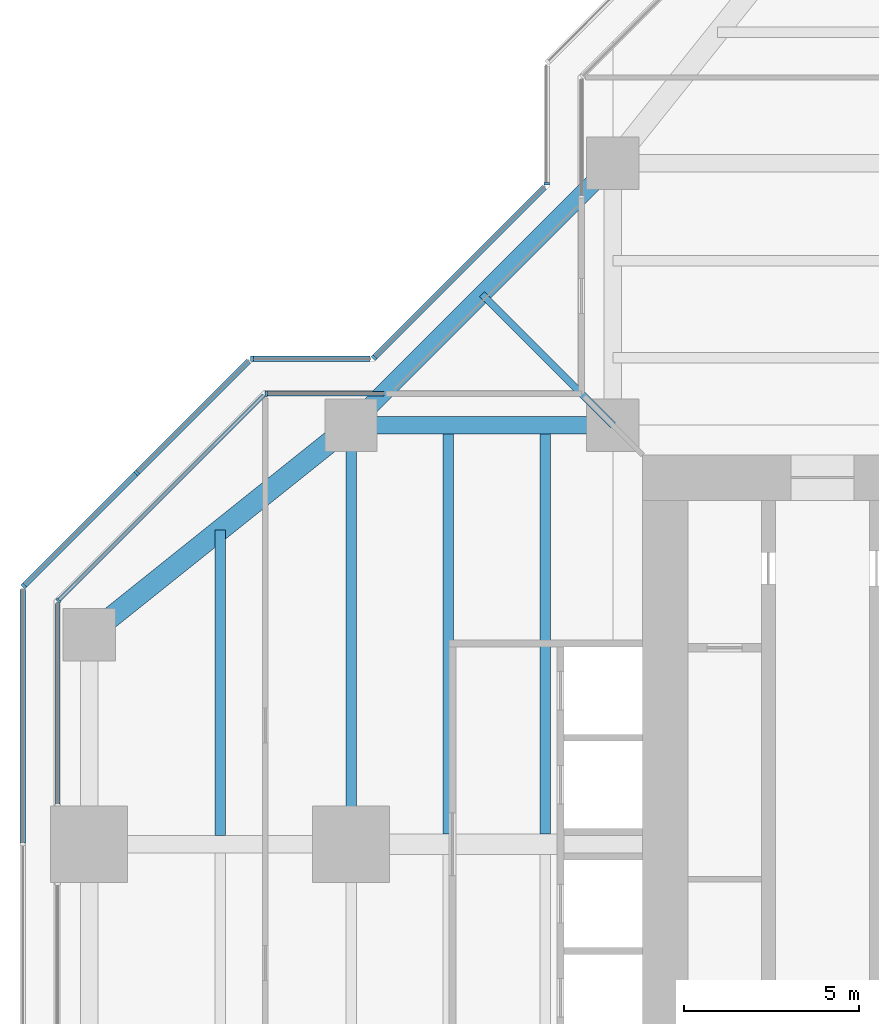
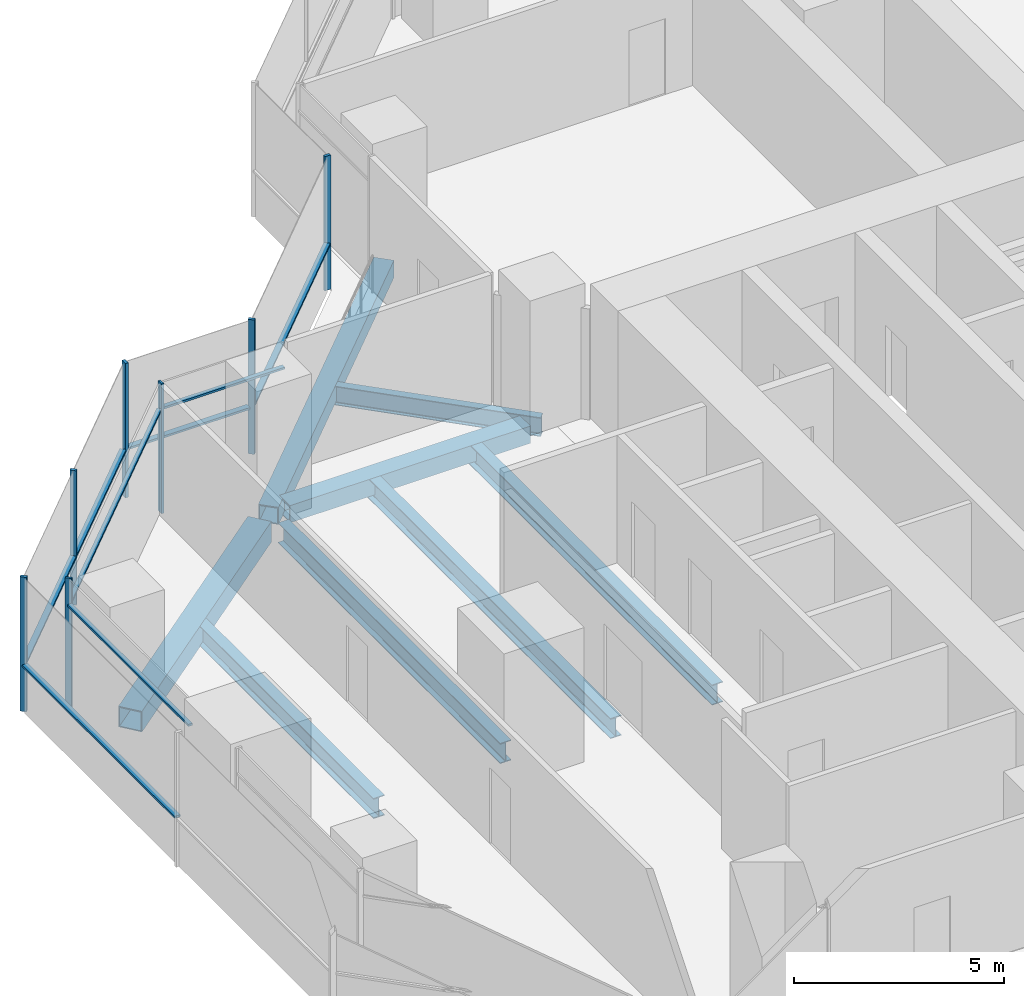
# One storey, part 6 of 17: 15 members, 8 beams, 8 elements without a shape of their own.
"""IFC4 building model written with IfcOpenShell, lengths in metres."""

import ifcopenshell
import ifcopenshell.guid

model = None  # the IFC model being written
_history = None  # IfcOwnerHistory: only IFC2X3 demands one
_inside = {}  # id of a spatial element -> (the spatial element, [elements in it])
_under = {}  # id of a project, library or spatial element -> (it, [spatial elements below it])
_declared = {}  # id of a project -> (the project, [libraries it declares])
_typed = {}  # id of a type object -> (the type object, [elements of that type])
_made_of = {}  # id of a material, layer set ... -> (it, [elements and type objects made of it])


def new_model(schema):
    """Start an empty IFC model of exactly this schema.

    Asked for "IFC4X3", IfcOpenShell would pick the latest addendum, in which some entities
    have other attributes; the version numbers below select the first issue.
    IFC2X3 requires an IfcOwnerHistory on every rooted entity: one is made here for all.
    """
    global model, _history
    if schema == "IFC4X3":
        model = ifcopenshell.file(schema_version=(4, 3, 0, 0))
    else:
        model = ifcopenshell.file(schema=schema)
    _inside.clear()
    _under.clear()
    _declared.clear()
    _typed.clear()
    _made_of.clear()
    _history = None
    if model.schema == "IFC2X3":
        org = make("IfcOrganization", Name="unknown")
        user = make(
            "IfcPersonAndOrganization",
            ThePerson=make("IfcPerson", FamilyName="unknown"),
            TheOrganization=org,
        )
        app = make(
            "IfcApplication",
            ApplicationDeveloper=org,
            Version="unknown",
            ApplicationFullName="unknown",
            ApplicationIdentifier="unknown",
        )
        _history = make(
            "IfcOwnerHistory",
            OwningUser=user,
            OwningApplication=app,
            ChangeAction="ADDED",
            CreationDate=0,
        )
    return model


def make(cls, **values):
    """One entity of the class cls with the attributes given. An attribute that is None is left unset."""
    return model.create_entity(
        cls, **{name: value for name, value in values.items() if value is not None}
    )


def rooted(cls, **values):
    """An entity with a GlobalId (a new one), such as an element, a storey or a relation."""
    return make(cls, GlobalId=ifcopenshell.guid.new(), OwnerHistory=_history, **values)


def si_unit(unit_type, name, prefix=None):
    """IfcSIUnit, for example si_unit("LENGTHUNIT", "METRE", prefix="MILLI")."""
    return make("IfcSIUnit", UnitType=unit_type, Prefix=prefix, Name=name)


def assignment(units):
    """IfcUnitAssignment: the units of a project."""
    return None if units is None else make("IfcUnitAssignment", Units=units)


def point(xyz):
    """IfcCartesianPoint."""
    return None if xyz is None else make("IfcCartesianPoint", Coordinates=xyz)


def direction(xyz):
    """IfcDirection."""
    return None if xyz is None else make("IfcDirection", DirectionRatios=xyz)


def frame(location, z_axis=None, x_axis=None):
    """IfcAxis2Placement3D, a coordinate frame: its origin and axes. An axis left out is left unset."""
    return make(
        "IfcAxis2Placement3D",
        Location=point(location),
        Axis=direction(z_axis),
        RefDirection=direction(x_axis),
    )


def frame_2d(location, x_axis=None):
    """IfcAxis2Placement2D, a coordinate frame in the plane: its origin and x axis."""
    return make(
        "IfcAxis2Placement2D", Location=point(location), RefDirection=direction(x_axis)
    )


def origin():
    """The frame at (0, 0, 0) with its axes left unset."""
    return frame((0.0, 0.0, 0.0))


def origin_2d():
    """The frame at (0, 0) in the plane with its x axis left unset."""
    return frame_2d((0.0, 0.0))


def place(relative_to, where):
    """IfcLocalPlacement: puts the frame where relative to a parent placement (None: the world)."""
    return make(
        "IfcLocalPlacement", PlacementRelTo=relative_to, RelativePlacement=where
    )


def context(
    kind, dimensions, precision=None, world=None, true_north=None, identifier=None
):
    """IfcGeometricRepresentationContext, for example the 3D "Model" context."""
    return make(
        "IfcGeometricRepresentationContext",
        ContextIdentifier=identifier,
        ContextType=kind,
        CoordinateSpaceDimension=dimensions,
        Precision=precision,
        WorldCoordinateSystem=world,
        TrueNorth=true_north,
    )


def subcontext(parent, identifier, kind, view, scale=None):
    """IfcGeometricRepresentationSubContext, for example "Body" below "Model"."""
    return make(
        "IfcGeometricRepresentationSubContext",
        ContextIdentifier=identifier,
        ContextType=kind,
        ParentContext=parent,
        TargetScale=scale,
        TargetView=view,
    )


def project(units=None, contexts=None):
    """IfcProject with its units and contexts."""
    return rooted(
        "IfcProject",
        Name="project",
        RepresentationContexts=contexts,
        UnitsInContext=assignment(units),
    )


def spatial(cls, under=None, at=None, **own):
    """A site, building, storey or space (cls), placed at a placement, below another one or the project."""
    s = rooted(cls, ObjectPlacement=at, **own)
    if under is not None:
        _under.setdefault(under.id(), (under, []))[1].append(s)
    return s


def profile(cls, at=None, kind="AREA", **sizes):
    """A parametric profile (cls). Its sizes go by their IFC names, for example OverallWidth=200.0."""
    return make(cls, ProfileType=kind, Position=at, **sizes)


def rectangle(**sizes):
    """IfcRectangleProfileDef."""
    return profile("IfcRectangleProfileDef", **sizes)


def hollow_rectangle(**sizes):
    """IfcRectangleHollowProfileDef."""
    return profile("IfcRectangleHollowProfileDef", **sizes)


def i_section(**sizes):
    """IfcIShapeProfileDef."""
    return profile("IfcIShapeProfileDef", **sizes)


def extrude(swept, where, along, depth):
    """IfcExtrudedAreaSolid: the profile swept, set in the frame where, extruded along a direction by depth."""
    return make(
        "IfcExtrudedAreaSolid",
        SweptArea=swept,
        Position=where,
        ExtrudedDirection=direction(along),
        Depth=depth,
    )


def shape(context_of_items, identifier, shape_type, items):
    """IfcShapeRepresentation: the items that make up one representation, for example the "Body"."""
    return make(
        "IfcShapeRepresentation",
        ContextOfItems=context_of_items,
        RepresentationIdentifier=identifier,
        RepresentationType=shape_type,
        Items=items,
    )


def material(Name=None, Category=None):
    """IfcMaterial."""
    return make("IfcMaterial", Name=Name, Category=Category)


def material_profile(
    of_material, cross_section, Name=None, Category=None, Priority=None
):
    """IfcMaterialProfile: a cross section and its material."""
    return make(
        "IfcMaterialProfile",
        Name=Name,
        Material=of_material,
        Profile=cross_section,
        Priority=Priority,
        Category=Category,
    )


def profile_set(profiles, Name=None, composite=None):
    """IfcMaterialProfileSet."""
    return make(
        "IfcMaterialProfileSet",
        Name=Name,
        MaterialProfiles=profiles,
        CompositeProfile=composite,
    )


def made_of(thing, what):
    """Note that an element or type object is made of a material, layer set ...; save() writes the relation."""
    if what is not None:
        _made_of.setdefault(what.id(), (what, []))[1].append(thing)
    return thing


def type_object(cls, material=None, **own):
    """A type object (cls), such as IfcWallType, which elements share."""
    return made_of(rooted(cls, **own), material)


def element(
    cls,
    number,
    at=None,
    inside=None,
    cuts=None,
    type_object=None,
    material=None,
    context=None,
    identifier="Body",
    shape_type=None,
    held_by="IfcProductDefinitionShape",
    body=None,
    shapes=None,
    **own,
):
    """One element of the class cls, such as IfcWall. Its Tag is "e" and its number.

    at: its placement. inside: the storey or other place that contains it. cuts: it is an
    opening in that element (IfcRelVoidsElement). A single representation is given by context,
    identifier, shape_type and body (its items); several are given by shapes. held_by: the class
    of the entity that holds the representations. save() writes the other relations.
    """
    e = rooted(cls, Tag="e%d" % number, ObjectPlacement=at, **own)
    if body is not None:
        shapes = [shape(context, identifier, shape_type, body)]
    if shapes is not None:
        e.Representation = make(held_by, Representations=shapes)
    if inside is not None:
        _inside.setdefault(inside.id(), (inside, []))[1].append(e)
    if cuts is not None:
        rooted(
            "IfcRelVoidsElement", RelatingBuildingElement=cuts, RelatedOpeningElement=e
        )
    if type_object is not None:
        _typed.setdefault(type_object.id(), (type_object, []))[1].append(e)
    return made_of(e, material)


def aggregate(whole, parts):
    """IfcRelAggregates: a whole, such as a stair, and the parts it consists of."""
    return rooted("IfcRelAggregates", RelatingObject=whole, RelatedObjects=parts)


def save(model, path):
    """Write the relations noted so far, then the file.

    IfcRelAggregates (storeys below a building ...), IfcRelContainedInSpatialStructure (elements
    in a storey), IfcRelDefinesByType, IfcRelAssociatesMaterial and IfcRelDeclares: one each for
    every whole, place, type object, material and project.
    """
    for whole, parts in _under.values():
        aggregate(whole, parts)
    for where, things in _inside.values():
        rooted(
            "IfcRelContainedInSpatialStructure",
            RelatedElements=things,
            RelatingStructure=where,
        )
    for kind, things in _typed.values():
        rooted("IfcRelDefinesByType", RelatedObjects=things, RelatingType=kind)
    for what, things in _made_of.values():
        rooted("IfcRelAssociatesMaterial", RelatedObjects=things, RelatingMaterial=what)
    for by, libraries in _declared.values():
        rooted("IfcRelDeclares", RelatingContext=by, RelatedDefinitions=libraries)
    model.write(path)


model = new_model("IFC4")

# Units and contexts
model_context = context("Model", 3, precision=1e-05, world=origin(), true_north=direction((0.0, 1.0)))
body_context = subcontext(model_context, "Body", "Model", "MODEL_VIEW")
ifc_project = project(units=[si_unit("LENGTHUNIT", "METRE"), si_unit("AREAUNIT", "SQUARE_METRE"), si_unit("VOLUMEUNIT", "CUBIC_METRE"), si_unit("PLANEANGLEUNIT", "RADIAN"), si_unit("MASSUNIT", "GRAM", prefix="KILO")], contexts=[model_context])

# Site, building, storey
site_placement = place(None, origin())
site = spatial("IfcSite", under=ifc_project, at=site_placement, CompositionType="ELEMENT")
building_placement = place(site_placement, origin())
building = spatial("IfcBuilding", under=site, at=building_placement, Name="Mizan Broadcast Tower", CompositionType="ELEMENT")
storey_placement = place(building_placement, frame((0.0, 0.0, 220.5)))
storey = spatial("IfcBuildingStorey", under=building, at=storey_placement, Name="L51", CompositionType="ELEMENT", Elevation=220.5)

# Beams
ifc_material_1 = material(Name="Steel S355", Category="steel")
ifc_material_profile_1 = material_profile(ifc_material_1, hollow_rectangle(XDim=0.5, YDim=0.5, WallThickness=0.030029296875, at=origin_2d()), Name="BOX 500x500x30")
ifc_profile_set_1 = profile_set([ifc_material_profile_1], Name="Steel S355")
beam_type_1 = type_object("IfcBeamType", Name="EDGE BEAM BOX 500x500x30", PredefinedType="SPANDREL", material=ifc_profile_set_1)
beam_1_placement = place(storey_placement, frame((-12.449951171875, 12.0, -0.3798828125), z_axis=(-1.0, 0.0, 0.0), x_axis=(0.0, -1.0, 0.0)))
element("IfcBeam", 1, at=beam_1_placement, inside=storey, type_object=beam_type_1, Name="Edge beam BOX 500x500x30 L51 west arm", PredefinedType="SPANDREL", context=body_context, shape_type="SweptSolid", body=[
    extrude(hollow_rectangle(XDim=0.5, YDim=0.5, WallThickness=0.030029296875, at=origin_2d()), origin(), (0.0, 0.0, 1.0), 6.60009765625),
])
beam_2_placement = place(storey_placement, frame((-12.0, 19.5, -0.3798828125), z_axis=(-0.707106781187, -0.707106781187, 0.0), x_axis=(0.707106781187, -0.707106781187, 0.0)))
element("IfcBeam", 2, at=beam_2_placement, inside=storey, type_object=beam_type_1, Name="Winter garden edge beam L51 N", PredefinedType="SPANDREL", context=body_context, shape_type="SweptSolid", body=[
    extrude(hollow_rectangle(XDim=0.5, YDim=0.5, WallThickness=0.030029296875, at=origin_2d()), origin(), (0.0, 0.0, 1.0), 10.606689453125),
])
ifc_material_2 = material(Name="Steel S355", Category="steel")
ifc_material_profile_2 = material_profile(ifc_material_2, hollow_rectangle(XDim=0.60009765625, YDim=0.60009765625, WallThickness=0.030029296875, at=origin_2d()), Name="BOX 600x600x30")
ifc_profile_set_2 = profile_set([ifc_material_profile_2], Name="Steel S355")
beam_type_2 = type_object("IfcBeamType", Name="EDGE BEAM BOX 600x600x30", PredefinedType="SPANDREL", material=ifc_profile_set_2)
beam_3_placement = place(storey_placement, frame((-19.949951171875, 11.639892578125, -0.429931640625), z_axis=(-0.780885717636, -0.624673911726, 0.0), x_axis=(0.624673911726, -0.780885717636, 0.0)))
element("IfcBeam", 3, at=beam_3_placement, inside=storey, type_object=beam_type_2, Name="Edge beam BOX 600x600x30 L51 west arm", PredefinedType="SPANDREL", context=body_context, shape_type="SweptSolid", body=[
    extrude(hollow_rectangle(XDim=0.60009765625, YDim=0.60009765625, WallThickness=0.030029296875, at=origin_2d()), origin(), (0.0, 0.0, 1.0), 8.4521484375),
])
ifc_material_3 = material(Name="Steel S355", Category="steel")
ifc_material_profile_3 = material_profile(ifc_material_3, i_section(OverallWidth=0.300048828125, OverallDepth=0.590087890625, WebThickness=0.012939453125, FlangeThickness=0.02490234375, FilletRadius=0.027099609375, at=origin_2d()), Name="HEA 600")
ifc_profile_set_3 = profile_set([ifc_material_profile_3], Name="Steel S355")
beam_type_3 = type_object("IfcBeamType", Name="GIRDER HEA 600", PredefinedType="BEAM", material=ifc_profile_set_3)
beam_4_placement = place(storey_placement, frame((-19.5, 11.280029296875, -0.425048828125), z_axis=(0.0, -1.0, 0.0), x_axis=(1.0, 0.0, 0.0)))
element("IfcBeam", 4, at=beam_4_placement, inside=storey, type_object=beam_type_3, Name="Girder HEA 600 L51 west arm", PredefinedType="BEAM", context=body_context, shape_type="SweptSolid", body=[
    extrude(i_section(OverallWidth=0.300048828125, OverallDepth=0.590087890625, WebThickness=0.012939453125, FlangeThickness=0.02490234375, FilletRadius=0.027099609375, at=origin_2d()), origin(), (0.0, 0.0, 1.0), 10.56005859375),
])

# Curtain wall, member
ifc_material_4 = material(Name="Aluminium framed glazing", Category="aluminium")
curtain_wall_type_1 = type_object("IfcCurtainWallType", Name="INNER SKIN HIGH ZONE", PredefinedType="USERDEFINED", material=ifc_material_4)
curtain_wall_1_placement = place(storey_placement, origin())
curtain_wall_1 = element("IfcCurtainWall", 5, at=curtain_wall_1_placement, inside=storey, type_object=curtain_wall_type_1, Name="Inner skin high zone L51 W side", ObjectType="INNER SKIN HIGH ZONE", PredefinedType="USERDEFINED")
ifc_material_5 = material(Name="Aluminium, pale anodised", Category="aluminium")
ifc_material_profile_4 = material_profile(ifc_material_5, rectangle(XDim=0.159912109375, YDim=0.06005859375, at=origin_2d()), Name="MULLION 160x60")
ifc_profile_set_4 = profile_set([ifc_material_profile_4], Name="Aluminium, pale anodised")
member_type_1 = type_object("IfcMemberType", Name="INNER SKIN MULLION 60x160", PredefinedType="MULLION", material=ifc_profile_set_4)
member_1_placement = place(storey_placement, frame((-21.928466796875, 12.89990234375, 0.0), z_axis=(0.0, 0.0, 1.0), x_axis=(0.0, -1.0, 0.0)))
member_1 = element("IfcMember", 6, at=member_1_placement, type_object=member_type_1, Name="Inner skin high zone L51 W side mullion 2", PredefinedType="MULLION", context=body_context, shape_type="SweptSolid", body=[
    extrude(rectangle(XDim=0.159912109375, YDim=0.06005859375, at=origin_2d()), origin(), (0.0, 0.0, 1.0), 3.77001953125),
])

curtain_wall_2_placement = place(storey_placement, origin())
curtain_wall_2 = element("IfcCurtainWall", 7, at=curtain_wall_2_placement, inside=storey, type_object=curtain_wall_type_1, Name="Inner skin high zone L51 W chamfer", ObjectType="INNER SKIN HIGH ZONE", PredefinedType="USERDEFINED")
member_2_placement = place(storey_placement, frame((-27.87890625, 6.979736328125, 0.0), z_axis=(0.0, 0.0, 1.0), x_axis=(0.707106781187, -0.707106781187, 0.0)))
member_2 = element("IfcMember", 8, at=member_2_placement, type_object=member_type_1, Name="Inner skin high zone L51 W chamfer mullion 2", PredefinedType="MULLION", context=body_context, shape_type="SweptSolid", body=[
    extrude(rectangle(XDim=0.159912109375, YDim=0.06005859375, at=origin_2d()), origin(), (0.0, 0.0, 1.0), 3.77001953125),
])

# Member
ifc_material_6 = material(Name="Aluminium, pale anodised", Category="aluminium")
ifc_material_profile_5 = material_profile(ifc_material_6, rectangle(XDim=0.1201171875, YDim=0.06005859375, at=origin_2d()), Name="TRANSOM 120x60")
ifc_profile_set_5 = profile_set([ifc_material_profile_5], Name="Aluminium, pale anodised")
member_type_2 = type_object("IfcMemberType", Name="INNER SKIN TRANSOM 60x120", PredefinedType="USERDEFINED", material=ifc_profile_set_5)
member_3_placement = place(storey_placement, frame((-18.56005859375, 12.89990234375, 3.030029296875), z_axis=(-1.0, 0.0, 0.0), x_axis=(0.0, -1.0, 0.0)))
member_3 = element("IfcMember", 9, at=member_3_placement, type_object=member_type_2, Name="Inner skin high zone L51 W side transom 1.1", ObjectType="TRANSOM", PredefinedType="USERDEFINED", context=body_context, shape_type="SweptSolid", body=[
    extrude(rectangle(XDim=0.1201171875, YDim=0.06005859375, at=origin_2d()), origin(), (0.0, 0.0, 1.0), 3.338623046875),
])

aggregate(curtain_wall_1, [member_1, member_3])

member_4_placement = place(storey_placement, frame((-22.0009765625, 12.857666015625, 3.030029296875), z_axis=(-0.707106781187, -0.707106781187, 0.0), x_axis=(0.707106781187, -0.707106781187, 0.0)))
member_4 = element("IfcMember", 10, at=member_4_placement, type_object=member_type_2, Name="Inner skin high zone L51 W chamfer transom 1.1", ObjectType="TRANSOM", PredefinedType="USERDEFINED", context=body_context, shape_type="SweptSolid", body=[
    extrude(rectangle(XDim=0.1201171875, YDim=0.06005859375, at=origin_2d()), origin(), (0.0, 0.0, 1.0), 8.28271484375),
])

aggregate(curtain_wall_2, [member_2, member_4])

# Curtain wall, member
curtain_wall_3_placement = place(storey_placement, origin())
curtain_wall_3 = element("IfcCurtainWall", 11, at=curtain_wall_3_placement, inside=storey, type_object=curtain_wall_type_1, Name="Inner skin high zone L51 W end", ObjectType="INNER SKIN HIGH ZONE", PredefinedType="USERDEFINED")
member_5_placement = place(storey_placement, frame((-27.89990234375, 6.898681640625, 3.030029296875), z_axis=(0.0, -1.0, 0.0), x_axis=(1.0, 0.0, 0.0)))
member_5 = element("IfcMember", 12, at=member_5_placement, type_object=member_type_2, Name="Inner skin high zone L51 W end transom 1.1", ObjectType="TRANSOM", PredefinedType="USERDEFINED", context=body_context, shape_type="SweptSolid", body=[
    extrude(rectangle(XDim=0.1201171875, YDim=0.06005859375, at=origin_2d()), origin(), (0.0, 0.0, 1.0), 5.73876953125),
])
aggregate(curtain_wall_3, [member_5])

ifc_material_7 = material(Name="Aluminium framed glazing", Category="aluminium")
curtain_wall_type_2 = type_object("IfcCurtainWallType", Name="OUTER SKIN", PredefinedType="USERDEFINED", material=ifc_material_7)
curtain_wall_4_placement = place(storey_placement, origin())
curtain_wall_4 = element("IfcCurtainWall", 13, at=curtain_wall_4_placement, inside=storey, type_object=curtain_wall_type_2, Name="Outer skin L51 N side", ObjectType="OUTER SKIN", PredefinedType="USERDEFINED")
ifc_material_8 = material(Name="Aluminium, pale anodised", Category="aluminium")
ifc_material_profile_6 = material_profile(ifc_material_8, rectangle(XDim=0.159912109375, YDim=0.080078125, at=origin_2d()), Name="MULLION 160x80")
ifc_profile_set_6 = profile_set([ifc_material_profile_6], Name="Aluminium, pale anodised")
member_type_3 = type_object("IfcMemberType", Name="OUTER SKIN MULLION 80x160", PredefinedType="MULLION", material=ifc_profile_set_6)
member_6_placement = place(storey_placement, frame((-13.89990234375, 18.912841796875, 0.0), z_axis=(0.0, 0.0, 1.0), x_axis=(1.0, 0.0, 0.0)))
member_6 = element("IfcMember", 14, at=member_6_placement, type_object=member_type_3, Name="Outer skin L51 N side mullion 2", PredefinedType="MULLION", context=body_context, shape_type="SweptSolid", body=[
    extrude(rectangle(XDim=0.159912109375, YDim=0.080078125, at=origin_2d()), origin(), (0.0, 0.0, 1.0), 3.89990234375),
])
aggregate(curtain_wall_4, [member_6])

curtain_wall_5_placement = place(storey_placement, origin())
curtain_wall_5 = element("IfcCurtainWall", 15, at=curtain_wall_5_placement, inside=storey, type_object=curtain_wall_type_2, Name="Outer skin L51 W chamfer", ObjectType="OUTER SKIN", PredefinedType="USERDEFINED")
member_7_placement = place(storey_placement, frame((-18.844482421875, 13.92822265625, 0.0), z_axis=(0.0, 0.0, 1.0), x_axis=(0.707106781187, -0.707106781187, 0.0)))
member_7 = element("IfcMember", 16, at=member_7_placement, type_object=member_type_3, Name="Outer skin L51 W chamfer mullion 2", PredefinedType="MULLION", context=body_context, shape_type="SweptSolid", body=[
    extrude(rectangle(XDim=0.159912109375, YDim=0.080078125, at=origin_2d()), origin(), (0.0, 0.0, 1.0), 3.89990234375),
])

curtain_wall_6_placement = place(storey_placement, origin())
curtain_wall_6 = element("IfcCurtainWall", 17, at=curtain_wall_6_placement, inside=storey, type_object=curtain_wall_type_2, Name="Outer skin L51 W side", ObjectType="OUTER SKIN", PredefinedType="USERDEFINED")
member_8_placement = place(storey_placement, frame((-22.332763671875, 13.89990234375, 0.0), z_axis=(0.0, 0.0, 1.0), x_axis=(0.0, -1.0, 0.0)))
member_8 = element("IfcMember", 18, at=member_8_placement, type_object=member_type_3, Name="Outer skin L51 W side mullion 2", PredefinedType="MULLION", context=body_context, shape_type="SweptSolid", body=[
    extrude(rectangle(XDim=0.159912109375, YDim=0.080078125, at=origin_2d()), origin(), (0.0, 0.0, 1.0), 3.89990234375),
])

# Curtain wall, members
curtain_wall_7_placement = place(storey_placement, origin())
curtain_wall_7 = element("IfcCurtainWall", 19, at=curtain_wall_7_placement, inside=storey, type_object=curtain_wall_type_2, Name="Outer skin L51 W chamfer", ObjectType="OUTER SKIN", PredefinedType="USERDEFINED")
member_9_placement = place(storey_placement, frame((-25.636474609375, 10.636474609375, 0.0), z_axis=(0.0, 0.0, 1.0), x_axis=(0.707106781187, -0.707106781187, 0.0)))
member_9 = element("IfcMember", 20, at=member_9_placement, type_object=member_type_3, Name="Outer skin L51 W chamfer mullion 2", PredefinedType="MULLION", context=body_context, shape_type="SweptSolid", body=[
    extrude(rectangle(XDim=0.159912109375, YDim=0.080078125, at=origin_2d()), origin(), (0.0, 0.0, 1.0), 3.89990234375),
])
member_10_placement = place(storey_placement, frame((-28.871826171875, 7.401123046875, 0.0), z_axis=(0.0, 0.0, 1.0), x_axis=(0.707106781187, -0.707106781187, 0.0)))
member_10 = element("IfcMember", 21, at=member_10_placement, type_object=member_type_3, Name="Outer skin L51 W chamfer mullion 3", PredefinedType="MULLION", context=body_context, shape_type="SweptSolid", body=[
    extrude(rectangle(XDim=0.159912109375, YDim=0.080078125, at=origin_2d()), origin(), (0.0, 0.0, 1.0), 3.89990234375),
])

# Member
ifc_material_9 = material(Name="Aluminium, pale anodised", Category="aluminium")
ifc_material_profile_7 = material_profile(ifc_material_9, rectangle(XDim=0.159912109375, YDim=0.06005859375, at=origin_2d()), Name="TRANSOM 160x60")
ifc_profile_set_7 = profile_set([ifc_material_profile_7], Name="Aluminium, pale anodised")
member_type_4 = type_object("IfcMemberType", Name="OUTER SKIN TRANSOM 60x160", PredefinedType="USERDEFINED", material=ifc_profile_set_7)
member_11_placement = place(storey_placement, frame((-13.95654296875, 18.816162109375, 1.39990234375), z_axis=(-0.707106781187, -0.707106781187, 0.0), x_axis=(0.707106781187, -0.707106781187, 0.0)))
member_11 = element("IfcMember", 22, at=member_11_placement, type_object=member_type_4, Name="Outer skin L51 W chamfer transom 1.1", ObjectType="TRANSOM", PredefinedType="USERDEFINED", context=body_context, shape_type="SweptSolid", body=[
    extrude(rectangle(XDim=0.159912109375, YDim=0.06005859375, at=origin_2d()), origin(), (0.0, 0.0, 1.0), 6.87255859375),
])

aggregate(curtain_wall_5, [member_7, member_11])

member_12_placement = place(storey_placement, frame((-18.952880859375, 13.89990234375, 1.39990234375), z_axis=(-1.0, 0.0, 0.0), x_axis=(0.0, -1.0, 0.0)))
member_12 = element("IfcMember", 23, at=member_12_placement, type_object=member_type_4, Name="Outer skin L51 W side transom 1.1", ObjectType="TRANSOM", PredefinedType="USERDEFINED", context=body_context, shape_type="SweptSolid", body=[
    extrude(rectangle(XDim=0.159912109375, YDim=0.06005859375, at=origin_2d()), origin(), (0.0, 0.0, 1.0), 3.33984375),
])

aggregate(curtain_wall_6, [member_8, member_12])

member_13_placement = place(storey_placement, frame((-22.429443359375, 13.843505859375, 1.39990234375), z_axis=(-0.707106781187, -0.707106781187, 0.0), x_axis=(0.707106781187, -0.707106781187, 0.0)))
member_13 = element("IfcMember", 24, at=member_13_placement, type_object=member_type_4, Name="Outer skin L51 W chamfer transom 1.1", ObjectType="TRANSOM", PredefinedType="USERDEFINED", context=body_context, shape_type="SweptSolid", body=[
    extrude(rectangle(XDim=0.159912109375, YDim=0.06005859375, at=origin_2d()), origin(), (0.0, 0.0, 1.0), 4.495361328125),
])

member_14_placement = place(storey_placement, frame((-25.664794921875, 10.608154296875, 1.39990234375), z_axis=(-0.707106781187, -0.707106781187, 0.0), x_axis=(0.707106781187, -0.707106781187, 0.0)))
member_14 = element("IfcMember", 25, at=member_14_placement, type_object=member_type_4, Name="Outer skin L51 W chamfer transom 2.1", ObjectType="TRANSOM", PredefinedType="USERDEFINED", context=body_context, shape_type="SweptSolid", body=[
    extrude(rectangle(XDim=0.159912109375, YDim=0.06005859375, at=origin_2d()), origin(), (0.0, 0.0, 1.0), 4.495361328125),
])

aggregate(curtain_wall_7, [member_9, member_10, member_13, member_14])

# Curtain wall, member
curtain_wall_8_placement = place(storey_placement, origin())
curtain_wall_8 = element("IfcCurtainWall", 26, at=curtain_wall_8_placement, inside=storey, type_object=curtain_wall_type_2, Name="Outer skin L51 W end", ObjectType="OUTER SKIN", PredefinedType="USERDEFINED")
member_15_placement = place(storey_placement, frame((-28.89990234375, 7.292724609375, 1.39990234375), z_axis=(0.0, -1.0, 0.0), x_axis=(1.0, 0.0, 0.0)))
member_15 = element("IfcMember", 27, at=member_15_placement, type_object=member_type_4, Name="Outer skin L51 W end transom 1.1", ObjectType="TRANSOM", PredefinedType="USERDEFINED", context=body_context, shape_type="SweptSolid", body=[
    extrude(rectangle(XDim=0.159912109375, YDim=0.06005859375, at=origin_2d()), origin(), (0.0, 0.0, 1.0), 7.252685546875),
])
aggregate(curtain_wall_8, [member_15])

# Beams
ifc_material_10 = material(Name="Steel S355", Category="steel")
ifc_material_profile_8 = material_profile(ifc_material_10, i_section(OverallWidth=0.300048828125, OverallDepth=0.590087890625, WebThickness=0.012939453125, FlangeThickness=0.02490234375, FilletRadius=0.027099609375, at=origin_2d()), Name="HEA 600")
ifc_profile_set_8 = profile_set([ifc_material_profile_8], Name="Steel S355")
beam_type_4 = type_object("IfcBeamType", Name="SECONDARY BEAM HEA 600", PredefinedType="JOIST", material=ifc_profile_set_8)
for number, where, z_axis, x_axis, name in (
    (28, (-13.933349609375, 12.0, -0.425048828125), (0.0, -1.0, 0.0), (1.0, 0.0, 0.0), "Secondary beam HEA 600 L51 west arm"),
    (29, (-16.716552734375, 12.0, -0.425048828125), (0.0, -1.0, 0.0), (1.0, 0.0, 0.0), "Secondary beam HEA 600 L51 west arm"),
):
    element("IfcBeam", number, at=place(storey_placement, frame(where, z_axis=z_axis, x_axis=x_axis)), inside=storey, type_object=beam_type_4, Name=name, PredefinedType="JOIST", context=body_context, shape_type="SweptSolid", body=[
        extrude(i_section(OverallWidth=0.300048828125, OverallDepth=0.590087890625, WebThickness=0.012939453125, FlangeThickness=0.02490234375, FilletRadius=0.027099609375, at=origin_2d()), origin(), (0.0, 0.0, 1.0), 11.699951171875),
    ])
beam_5_placement = place(storey_placement, frame((-23.25, 9.0, -0.425048828125), z_axis=(0.0, -1.0, 0.0), x_axis=(1.0, 0.0, 0.0)))
element("IfcBeam", 30, at=beam_5_placement, inside=storey, type_object=beam_type_4, Name="Secondary beam HEA 600 L51 west arm", PredefinedType="JOIST", context=body_context, shape_type="SweptSolid", body=[
    extrude(i_section(OverallWidth=0.300048828125, OverallDepth=0.590087890625, WebThickness=0.012939453125, FlangeThickness=0.02490234375, FilletRadius=0.027099609375, at=origin_2d()), origin(), (0.0, 0.0, 1.0), 8.75),
])
ifc_material_11 = material(Name="Steel S355", Category="steel")
ifc_material_profile_9 = material_profile(ifc_material_11, i_section(OverallWidth=0.2099609375, OverallDepth=0.550048828125, WebThickness=0.010986328125, FlangeThickness=0.01708984375, FilletRadius=0.02392578125, at=origin_2d()), Name="IPE 550")
ifc_profile_set_9 = profile_set([ifc_material_profile_9], Name="Steel S355")
beam_type_5 = type_object("IfcBeamType", Name="SECONDARY BEAM IPE 550", PredefinedType="JOIST", material=ifc_profile_set_9)
beam_6_placement = place(storey_placement, frame((-12.0, 12.0, -0.405029296875), z_axis=(-0.707106781187, 0.707106781187, 0.0), x_axis=(-0.707106781187, -0.707106781187, 0.0)))
element("IfcBeam", 31, at=beam_6_placement, inside=storey, type_object=beam_type_5, Name="Winter garden beam L51 N", PredefinedType="JOIST", context=body_context, shape_type="SweptSolid", body=[
    extrude(i_section(OverallWidth=0.2099609375, OverallDepth=0.550048828125, WebThickness=0.010986328125, FlangeThickness=0.01708984375, FilletRadius=0.02392578125, at=origin_2d()), origin(), (0.0, 0.0, 1.0), 5.30322265625),
])

save(model, "model.ifc")
